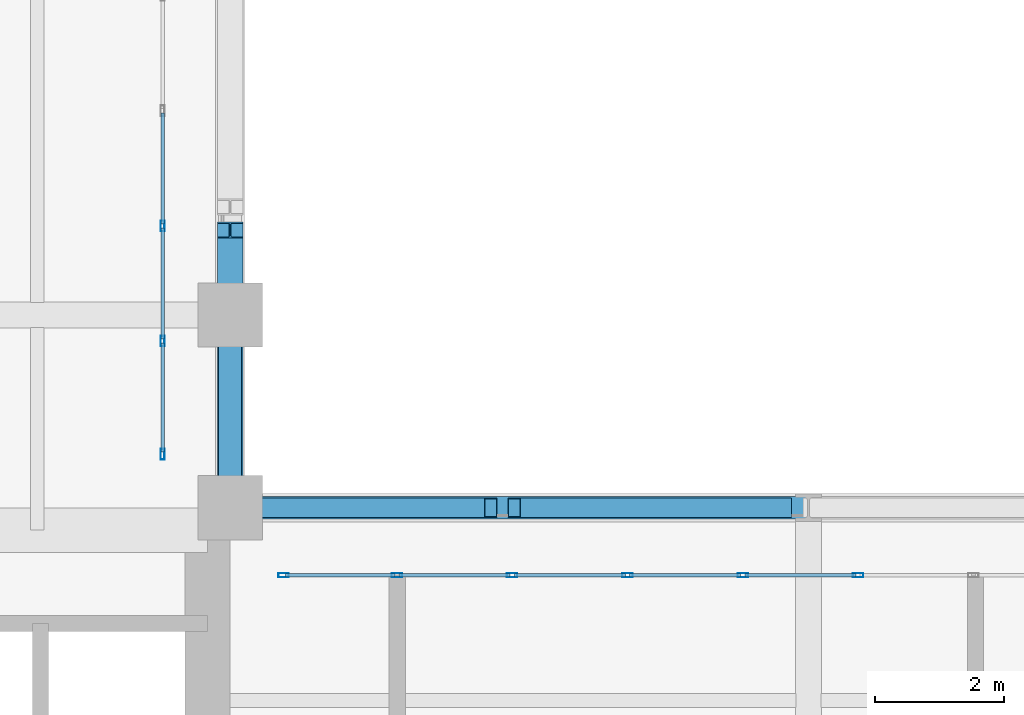
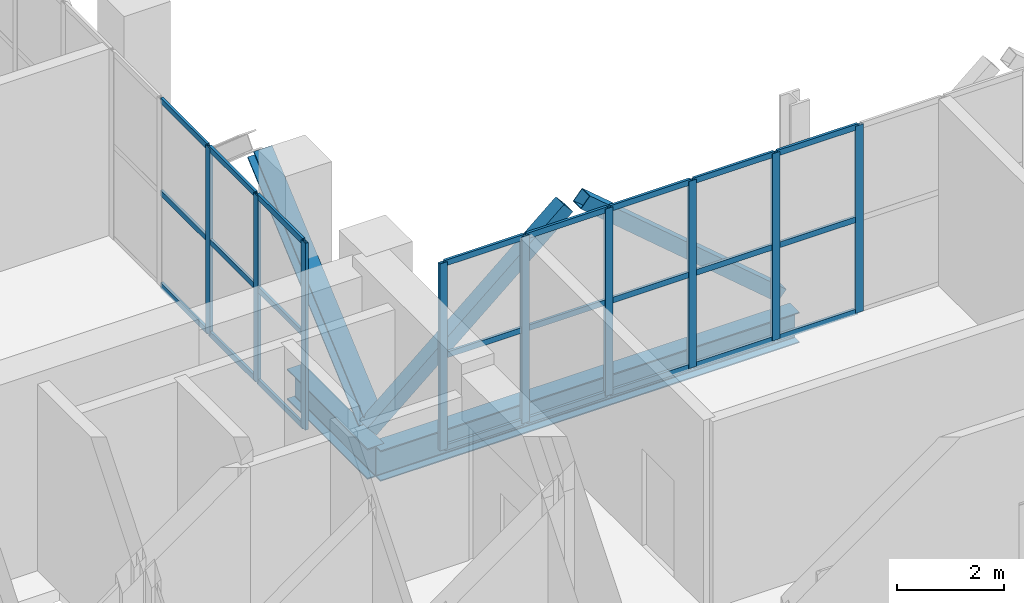
# One storey, part 6 of 27: 36 members, 2 beams, 2 elements without a shape of their own.
"""IFC4 building model written with IfcOpenShell, lengths in metres."""

import ifcopenshell
import ifcopenshell.guid

model = None  # the IFC model being written
_history = None  # IfcOwnerHistory: only IFC2X3 demands one
_inside = {}  # id of a spatial element -> (the spatial element, [elements in it])
_under = {}  # id of a project, library or spatial element -> (it, [spatial elements below it])
_declared = {}  # id of a project -> (the project, [libraries it declares])
_typed = {}  # id of a type object -> (the type object, [elements of that type])
_made_of = {}  # id of a material, layer set ... -> (it, [elements and type objects made of it])


def new_model(schema):
    """Start an empty IFC model of exactly this schema.

    Asked for "IFC4X3", IfcOpenShell would pick the latest addendum, in which some entities
    have other attributes; the version numbers below select the first issue.
    IFC2X3 requires an IfcOwnerHistory on every rooted entity: one is made here for all.
    """
    global model, _history
    if schema == "IFC4X3":
        model = ifcopenshell.file(schema_version=(4, 3, 0, 0))
    else:
        model = ifcopenshell.file(schema=schema)
    _inside.clear()
    _under.clear()
    _declared.clear()
    _typed.clear()
    _made_of.clear()
    _history = None
    if model.schema == "IFC2X3":
        org = make("IfcOrganization", Name="unknown")
        user = make(
            "IfcPersonAndOrganization",
            ThePerson=make("IfcPerson", FamilyName="unknown"),
            TheOrganization=org,
        )
        app = make(
            "IfcApplication",
            ApplicationDeveloper=org,
            Version="unknown",
            ApplicationFullName="unknown",
            ApplicationIdentifier="unknown",
        )
        _history = make(
            "IfcOwnerHistory",
            OwningUser=user,
            OwningApplication=app,
            ChangeAction="ADDED",
            CreationDate=0,
        )
    return model


def make(cls, **values):
    """One entity of the class cls with the attributes given. An attribute that is None is left unset."""
    return model.create_entity(
        cls, **{name: value for name, value in values.items() if value is not None}
    )


def rooted(cls, **values):
    """An entity with a GlobalId (a new one), such as an element, a storey or a relation."""
    return make(cls, GlobalId=ifcopenshell.guid.new(), OwnerHistory=_history, **values)


def si_unit(unit_type, name, prefix=None):
    """IfcSIUnit, for example si_unit("LENGTHUNIT", "METRE", prefix="MILLI")."""
    return make("IfcSIUnit", UnitType=unit_type, Prefix=prefix, Name=name)


def assignment(units):
    """IfcUnitAssignment: the units of a project."""
    return None if units is None else make("IfcUnitAssignment", Units=units)


def point(xyz):
    """IfcCartesianPoint."""
    return None if xyz is None else make("IfcCartesianPoint", Coordinates=xyz)


def direction(xyz):
    """IfcDirection."""
    return None if xyz is None else make("IfcDirection", DirectionRatios=xyz)


def frame(location, z_axis=None, x_axis=None):
    """IfcAxis2Placement3D, a coordinate frame: its origin and axes. An axis left out is left unset."""
    return make(
        "IfcAxis2Placement3D",
        Location=point(location),
        Axis=direction(z_axis),
        RefDirection=direction(x_axis),
    )


def frame_2d(location, x_axis=None):
    """IfcAxis2Placement2D, a coordinate frame in the plane: its origin and x axis."""
    return make(
        "IfcAxis2Placement2D", Location=point(location), RefDirection=direction(x_axis)
    )


def origin():
    """The frame at (0, 0, 0) with its axes left unset."""
    return frame((0.0, 0.0, 0.0))


def origin_2d():
    """The frame at (0, 0) in the plane with its x axis left unset."""
    return frame_2d((0.0, 0.0))


def place(relative_to, where):
    """IfcLocalPlacement: puts the frame where relative to a parent placement (None: the world)."""
    return make(
        "IfcLocalPlacement", PlacementRelTo=relative_to, RelativePlacement=where
    )


def context(
    kind, dimensions, precision=None, world=None, true_north=None, identifier=None
):
    """IfcGeometricRepresentationContext, for example the 3D "Model" context."""
    return make(
        "IfcGeometricRepresentationContext",
        ContextIdentifier=identifier,
        ContextType=kind,
        CoordinateSpaceDimension=dimensions,
        Precision=precision,
        WorldCoordinateSystem=world,
        TrueNorth=true_north,
    )


def subcontext(parent, identifier, kind, view, scale=None):
    """IfcGeometricRepresentationSubContext, for example "Body" below "Model"."""
    return make(
        "IfcGeometricRepresentationSubContext",
        ContextIdentifier=identifier,
        ContextType=kind,
        ParentContext=parent,
        TargetScale=scale,
        TargetView=view,
    )


def project(units=None, contexts=None):
    """IfcProject with its units and contexts."""
    return rooted(
        "IfcProject",
        Name="project",
        RepresentationContexts=contexts,
        UnitsInContext=assignment(units),
    )


def spatial(cls, under=None, at=None, **own):
    """A site, building, storey or space (cls), placed at a placement, below another one or the project."""
    s = rooted(cls, ObjectPlacement=at, **own)
    if under is not None:
        _under.setdefault(under.id(), (under, []))[1].append(s)
    return s


def profile(cls, at=None, kind="AREA", **sizes):
    """A parametric profile (cls). Its sizes go by their IFC names, for example OverallWidth=200.0."""
    return make(cls, ProfileType=kind, Position=at, **sizes)


def hollow_rectangle(**sizes):
    """IfcRectangleHollowProfileDef."""
    return profile("IfcRectangleHollowProfileDef", **sizes)


def i_section(**sizes):
    """IfcIShapeProfileDef."""
    return profile("IfcIShapeProfileDef", **sizes)


def extrude(swept, where, along, depth):
    """IfcExtrudedAreaSolid: the profile swept, set in the frame where, extruded along a direction by depth."""
    return make(
        "IfcExtrudedAreaSolid",
        SweptArea=swept,
        Position=where,
        ExtrudedDirection=direction(along),
        Depth=depth,
    )


def shape(context_of_items, identifier, shape_type, items):
    """IfcShapeRepresentation: the items that make up one representation, for example the "Body"."""
    return make(
        "IfcShapeRepresentation",
        ContextOfItems=context_of_items,
        RepresentationIdentifier=identifier,
        RepresentationType=shape_type,
        Items=items,
    )


def material(Name=None, Category=None):
    """IfcMaterial."""
    return make("IfcMaterial", Name=Name, Category=Category)


def layer(
    of_material, thickness, ventilated=None, Name=None, Category=None, Priority=None
):
    """IfcMaterialLayer: one layer of a wall or slab, of a material (None: an air gap)."""
    return make(
        "IfcMaterialLayer",
        Material=of_material,
        LayerThickness=thickness,
        IsVentilated=ventilated,
        Name=Name,
        Category=Category,
        Priority=Priority,
    )


def layer_set(layers, Name=None):
    """IfcMaterialLayerSet."""
    return make("IfcMaterialLayerSet", MaterialLayers=layers, LayerSetName=Name)


def material_profile(
    of_material, cross_section, Name=None, Category=None, Priority=None
):
    """IfcMaterialProfile: a cross section and its material."""
    return make(
        "IfcMaterialProfile",
        Name=Name,
        Material=of_material,
        Profile=cross_section,
        Priority=Priority,
        Category=Category,
    )


def profile_set(profiles, Name=None, composite=None):
    """IfcMaterialProfileSet."""
    return make(
        "IfcMaterialProfileSet",
        Name=Name,
        MaterialProfiles=profiles,
        CompositeProfile=composite,
    )


def made_of(thing, what):
    """Note that an element or type object is made of a material, layer set ...; save() writes the relation."""
    if what is not None:
        _made_of.setdefault(what.id(), (what, []))[1].append(thing)
    return thing


def type_object(cls, material=None, **own):
    """A type object (cls), such as IfcWallType, which elements share."""
    return made_of(rooted(cls, **own), material)


def element(
    cls,
    number,
    at=None,
    inside=None,
    cuts=None,
    type_object=None,
    material=None,
    context=None,
    identifier="Body",
    shape_type=None,
    held_by="IfcProductDefinitionShape",
    body=None,
    shapes=None,
    **own,
):
    """One element of the class cls, such as IfcWall. Its Tag is "e" and its number.

    at: its placement. inside: the storey or other place that contains it. cuts: it is an
    opening in that element (IfcRelVoidsElement). A single representation is given by context,
    identifier, shape_type and body (its items); several are given by shapes. held_by: the class
    of the entity that holds the representations. save() writes the other relations.
    """
    e = rooted(cls, Tag="e%d" % number, ObjectPlacement=at, **own)
    if body is not None:
        shapes = [shape(context, identifier, shape_type, body)]
    if shapes is not None:
        e.Representation = make(held_by, Representations=shapes)
    if inside is not None:
        _inside.setdefault(inside.id(), (inside, []))[1].append(e)
    if cuts is not None:
        rooted(
            "IfcRelVoidsElement", RelatingBuildingElement=cuts, RelatedOpeningElement=e
        )
    if type_object is not None:
        _typed.setdefault(type_object.id(), (type_object, []))[1].append(e)
    return made_of(e, material)


def aggregate(whole, parts):
    """IfcRelAggregates: a whole, such as a stair, and the parts it consists of."""
    return rooted("IfcRelAggregates", RelatingObject=whole, RelatedObjects=parts)


def save(model, path):
    """Write the relations noted so far, then the file.

    IfcRelAggregates (storeys below a building ...), IfcRelContainedInSpatialStructure (elements
    in a storey), IfcRelDefinesByType, IfcRelAssociatesMaterial and IfcRelDeclares: one each for
    every whole, place, type object, material and project.
    """
    for whole, parts in _under.values():
        aggregate(whole, parts)
    for where, things in _inside.values():
        rooted(
            "IfcRelContainedInSpatialStructure",
            RelatedElements=things,
            RelatingStructure=where,
        )
    for kind, things in _typed.values():
        rooted("IfcRelDefinesByType", RelatedObjects=things, RelatingType=kind)
    for what, things in _made_of.values():
        rooted("IfcRelAssociatesMaterial", RelatedObjects=things, RelatingMaterial=what)
    for by, libraries in _declared.values():
        rooted("IfcRelDeclares", RelatingContext=by, RelatedDefinitions=libraries)
    model.write(path)


model = new_model("IFC4")

# Units and contexts
model_context = context("Model", 3, precision=1e-05, world=origin(), true_north=direction((0.0, 1.0)))
body_context = subcontext(model_context, "Body", "Model", "MODEL_VIEW")
ifc_project = project(units=[si_unit("LENGTHUNIT", "METRE"), si_unit("AREAUNIT", "SQUARE_METRE"), si_unit("VOLUMEUNIT", "CUBIC_METRE"), si_unit("PLANEANGLEUNIT", "RADIAN"), si_unit("MASSUNIT", "GRAM", prefix="KILO")], contexts=[model_context])

# Site, building, storey
site_placement = place(None, origin())
site = spatial("IfcSite", under=ifc_project, at=site_placement, CompositionType="ELEMENT")
building_placement = place(site_placement, origin())
building = spatial("IfcBuilding", under=site, at=building_placement, Name="Mawjdan Bourse Tower", CompositionType="ELEMENT")
storey_placement = place(building_placement, frame((0.0, 0.0, 155.699951171875)))
storey = spatial("IfcBuildingStorey", under=building, at=storey_placement, Name="L37", CompositionType="ELEMENT", Elevation=155.699951171875)

# Members
ifc_material_1 = material(Name="Structural Steel S460", Category="steel")
ifc_material_profile_1 = material_profile(ifc_material_1, hollow_rectangle(XDim=0.300048828125, YDim=0.300048828125, WallThickness=0.012451171875, at=origin_2d()), Name="HSS300X300X12.5")
ifc_profile_set_1 = profile_set([ifc_material_profile_1], Name="Structural Steel S460")
member_type_1 = type_object("IfcMemberType", Name="BRC-HSS300X300X12.5", PredefinedType="BRACE", material=ifc_profile_set_1)
member_1_placement = place(storey_placement, frame((23.83349609375, 21.0, 0.199951171875), z_axis=(0.760807747852, 0.0, 0.648977326883), x_axis=(0.0, 1.0, 0.0)))
element("IfcMember", 1, at=member_1_placement, inside=storey, type_object=member_type_1, Name="L37 East Outrigger Truss 2 Diagonal 1", PredefinedType="BRACE", context=body_context, shape_type="SweptSolid", body=[
    extrude(hollow_rectangle(XDim=0.300048828125, YDim=0.300048828125, WallThickness=0.012451171875, at=origin_2d()), origin(), (0.0, 0.0, 1.0), 5.54736328125),
])
member_2_placement = place(storey_placement, frame((28.4208984375, 21.0, 3.800048828125), z_axis=(0.76082628285, 0.0, -0.648955597345), x_axis=(0.0, 1.0, 0.0)))
element("IfcMember", 2, at=member_2_placement, inside=storey, type_object=member_type_1, Name="L37 East Outrigger Truss 2 Diagonal 2", PredefinedType="BRACE", context=body_context, shape_type="SweptSolid", body=[
    extrude(hollow_rectangle(XDim=0.300048828125, YDim=0.300048828125, WallThickness=0.012451171875, at=origin_2d()), origin(), (0.0, 0.0, 1.0), 5.547607421875),
])
ifc_material_profile_2 = material_profile(ifc_material_1, i_section(OverallWidth=0.39404296875, OverallDepth=0.375, WebThickness=0.017333984375, FlangeThickness=0.027587890625, FilletRadius=0.022216796875, at=origin_2d()), Name="W14X145")
ifc_profile_set_2 = profile_set([ifc_material_profile_2], Name="Structural Steel S460")
member_type_2 = type_object("IfcMemberType", Name="BRC-W14X145", PredefinedType="BRACE", material=ifc_profile_set_2)
member_3_placement = place(storey_placement, frame((24.0, 21.179931640625, 0.199951171875), z_axis=(0.0, 0.754607438139, 0.656176511546), x_axis=(-1.0, 0.0, 0.0)))
element("IfcMember", 3, at=member_3_placement, inside=storey, type_object=member_type_2, Name="L37 North Wing Perimeter Belt Truss Diagonal 1", PredefinedType="BRACE", context=body_context, shape_type="SweptSolid", body=[
    extrude(i_section(OverallWidth=0.39404296875, OverallDepth=0.375, WebThickness=0.017333984375, FlangeThickness=0.027587890625, FilletRadius=0.022216796875, at=origin_2d()), origin(), (0.0, 0.0, 1.0), 5.486572265625),
])

# Curtain wall, members
ifc_material_2 = material(Name="Thermally Broken Aluminium and Solar Glass", Category="aluminium")
ifc_layer = layer(ifc_material_2, 0.219970703125)
ifc_layer_set = layer_set([ifc_layer], Name="Thermally Broken Aluminium and Solar Glass")
curtain_wall_type = type_object("IfcCurtainWallType", Name="CW-RFG", PredefinedType="USERDEFINED", material=ifc_layer_set)
curtain_wall_1_placement = place(storey_placement, origin())
curtain_wall_1 = element("IfcCurtainWall", 4, at=curtain_wall_1_placement, inside=storey, type_object=curtain_wall_type, Name="L37 Refuge Band North Louvre Curtain Wall", ObjectType="REFUGE BAND LOUVRE SCREEN", PredefinedType="USERDEFINED")
ifc_material_3 = material(Name="Thermally Broken Anodised Aluminium", Category="aluminium")
ifc_material_profile_3 = material_profile(ifc_material_3, hollow_rectangle(XDim=0.06494140625, YDim=0.1650390625, WallThickness=0.00390625, at=origin_2d()), Name="ALU-MUL-165X65")
ifc_profile_set_3 = profile_set([ifc_material_profile_3], Name="Thermally Broken Anodised Aluminium")
member_type_3 = type_object("IfcMemberType", Name="MUL-ALU-MUL-165X65", PredefinedType="MULLION", material=ifc_profile_set_3)
member_4_placement = place(storey_placement, frame((33.772216796875, 19.949951171875, 0.0), z_axis=(0.0, 0.0, 1.0), x_axis=(0.0, -1.0, 0.0)))
member_4 = element("IfcMember", 5, at=member_4_placement, type_object=member_type_3, Name="CW-RFG-L37-RFG-N mullion 14", PredefinedType="MULLION", context=body_context, shape_type="SweptSolid", body=[
    extrude(hollow_rectangle(XDim=0.06494140625, YDim=0.1650390625, WallThickness=0.00390625, at=origin_2d()), origin(), (0.0, 0.0, 1.0), 4.25),
])
member_5_placement = place(storey_placement, frame((31.977783203125, 19.949951171875, 0.0), z_axis=(0.0, 0.0, 1.0), x_axis=(0.0, -1.0, 0.0)))
member_5 = element("IfcMember", 6, at=member_5_placement, type_object=member_type_3, Name="CW-RFG-L37-RFG-N mullion 15", PredefinedType="MULLION", context=body_context, shape_type="SweptSolid", body=[
    extrude(hollow_rectangle(XDim=0.06494140625, YDim=0.1650390625, WallThickness=0.00390625, at=origin_2d()), origin(), (0.0, 0.0, 1.0), 4.25),
])
member_6_placement = place(storey_placement, frame((30.183349609375, 19.949951171875, 0.0), z_axis=(0.0, 0.0, 1.0), x_axis=(0.0, -1.0, 0.0)))
member_6 = element("IfcMember", 7, at=member_6_placement, type_object=member_type_3, Name="CW-RFG-L37-RFG-N mullion 16", PredefinedType="MULLION", context=body_context, shape_type="SweptSolid", body=[
    extrude(hollow_rectangle(XDim=0.06494140625, YDim=0.1650390625, WallThickness=0.00390625, at=origin_2d()), origin(), (0.0, 0.0, 1.0), 4.25),
])
member_7_placement = place(storey_placement, frame((28.388916015625, 19.949951171875, 0.0), z_axis=(0.0, 0.0, 1.0), x_axis=(0.0, -1.0, 0.0)))
member_7 = element("IfcMember", 8, at=member_7_placement, type_object=member_type_3, Name="CW-RFG-L37-RFG-N mullion 17", PredefinedType="MULLION", context=body_context, shape_type="SweptSolid", body=[
    extrude(hollow_rectangle(XDim=0.06494140625, YDim=0.1650390625, WallThickness=0.00390625, at=origin_2d()), origin(), (0.0, 0.0, 1.0), 4.25),
])
member_8_placement = place(storey_placement, frame((26.594482421875, 19.949951171875, 0.0), z_axis=(0.0, 0.0, 1.0), x_axis=(0.0, -1.0, 0.0)))
member_8 = element("IfcMember", 9, at=member_8_placement, type_object=member_type_3, Name="CW-RFG-L37-RFG-N mullion 18", PredefinedType="MULLION", context=body_context, shape_type="SweptSolid", body=[
    extrude(hollow_rectangle(XDim=0.06494140625, YDim=0.1650390625, WallThickness=0.00390625, at=origin_2d()), origin(), (0.0, 0.0, 1.0), 4.25),
])
member_9_placement = place(storey_placement, frame((24.83251953125, 19.949951171875, 0.0), z_axis=(0.0, 0.0, 1.0), x_axis=(0.0, -1.0, 0.0)))
member_9 = element("IfcMember", 10, at=member_9_placement, type_object=member_type_3, Name="CW-RFG-L37-RFG-N mullion 19", PredefinedType="MULLION", context=body_context, shape_type="SweptSolid", body=[
    extrude(hollow_rectangle(XDim=0.06494140625, YDim=0.1650390625, WallThickness=0.00390625, at=origin_2d()), origin(), (0.0, 0.0, 1.0), 4.25),
])

curtain_wall_2_placement = place(storey_placement, origin())
curtain_wall_2 = element("IfcCurtainWall", 11, at=curtain_wall_2_placement, inside=storey, type_object=curtain_wall_type, Name="L37 Refuge Band North-Wing Louvre Curtain Wall", ObjectType="REFUGE BAND LOUVRE SCREEN", PredefinedType="USERDEFINED")
member_10_placement = place(storey_placement, frame((22.949951171875, 21.83251953125, 0.0), z_axis=(0.0, 0.0, 1.0), x_axis=(-1.0, 0.0, 0.0)))
member_10 = element("IfcMember", 12, at=member_10_placement, type_object=member_type_3, Name="CW-RFG-L37-RFG-W mullion 1", PredefinedType="MULLION", context=body_context, shape_type="SweptSolid", body=[
    extrude(hollow_rectangle(XDim=0.06494140625, YDim=0.1650390625, WallThickness=0.00390625, at=origin_2d()), origin(), (0.0, 0.0, 1.0), 4.25),
])
member_11_placement = place(storey_placement, frame((22.949951171875, 23.59228515625, 0.0), z_axis=(0.0, 0.0, 1.0), x_axis=(-1.0, 0.0, 0.0)))
member_11 = element("IfcMember", 13, at=member_11_placement, type_object=member_type_3, Name="CW-RFG-L37-RFG-W mullion 2", PredefinedType="MULLION", context=body_context, shape_type="SweptSolid", body=[
    extrude(hollow_rectangle(XDim=0.06494140625, YDim=0.1650390625, WallThickness=0.00390625, at=origin_2d()), origin(), (0.0, 0.0, 1.0), 4.25),
])
member_12_placement = place(storey_placement, frame((22.949951171875, 25.384521484375, 0.0), z_axis=(0.0, 0.0, 1.0), x_axis=(-1.0, 0.0, 0.0)))
member_12 = element("IfcMember", 14, at=member_12_placement, type_object=member_type_3, Name="CW-RFG-L37-RFG-W mullion 3", PredefinedType="MULLION", context=body_context, shape_type="SweptSolid", body=[
    extrude(hollow_rectangle(XDim=0.06494140625, YDim=0.1650390625, WallThickness=0.00390625, at=origin_2d()), origin(), (0.0, 0.0, 1.0), 4.25),
])

# Beams
ifc_material_4 = material(Name="Structural Steel S355", Category="steel")
ifc_material_profile_4 = material_profile(ifc_material_4, i_section(OverallWidth=0.35498046875, OverallDepth=0.696044921875, WebThickness=0.015380859375, FlangeThickness=0.02490234375, FilletRadius=0.019775390625, at=origin_2d()), Name="W27X146")
ifc_profile_set_4 = profile_set([ifc_material_profile_4], Name="Structural Steel S355")
beam_type = type_object("IfcBeamType", Name="SPN-W27X146", PredefinedType="SPANDREL", material=ifc_profile_set_4)
beam_1_placement = place(storey_placement, frame((24.0, 21.0, -0.6279296875), z_axis=(1.0, 0.0, 0.0), x_axis=(0.0, 1.0, 0.0)))
element("IfcBeam", 15, at=beam_1_placement, inside=storey, type_object=beam_type, Name="L37 Perimeter Masonry-Shelf Spandrel 014", PredefinedType="SPANDREL", context=body_context, shape_type="SweptSolid", body=[
    extrude(i_section(OverallWidth=0.35498046875, OverallDepth=0.696044921875, WebThickness=0.015380859375, FlangeThickness=0.02490234375, FilletRadius=0.019775390625, at=origin_2d()), origin(), (0.0, 0.0, 1.0), 9.0),
])
beam_2_placement = place(storey_placement, frame((24.0, 21.0, -0.6279296875), z_axis=(0.0, 1.0, 0.0), x_axis=(-1.0, 0.0, 0.0)))
element("IfcBeam", 16, at=beam_2_placement, inside=storey, type_object=beam_type, Name="L37 North Wing Spandrel 065", PredefinedType="SPANDREL", context=body_context, shape_type="SweptSolid", body=[
    extrude(i_section(OverallWidth=0.35498046875, OverallDepth=0.696044921875, WebThickness=0.015380859375, FlangeThickness=0.02490234375, FilletRadius=0.019775390625, at=origin_2d()), origin(), (0.0, 0.0, 1.0), 3.0),
])

# Member
ifc_material_profile_5 = material_profile(ifc_material_3, hollow_rectangle(XDim=0.054931640625, YDim=0.1298828125, WallThickness=0.00341796875, at=origin_2d()), Name="ALU-TRN-130X55")
ifc_profile_set_5 = profile_set([ifc_material_profile_5], Name="Thermally Broken Anodised Aluminium")
member_type_4 = type_object("IfcMemberType", Name="TRN-ALU-TRN-130X55", PredefinedType="USERDEFINED", material=ifc_profile_set_5)
member_13_placement = place(storey_placement, frame((33.73974609375, 19.949951171875, 0.027587890625), z_axis=(-1.0, 0.0, 0.0), x_axis=(0.0, -1.0, 0.0)))
member_13 = element("IfcMember", 17, at=member_13_placement, type_object=member_type_4, Name="CW-RFG-L37-RFG-N transom 14.1", ObjectType="TRANSOM", PredefinedType="USERDEFINED", context=body_context, shape_type="SweptSolid", body=[
    extrude(hollow_rectangle(XDim=0.054931640625, YDim=0.1298828125, WallThickness=0.00341796875, at=origin_2d()), origin(), (0.0, 0.0, 1.0), 1.7294921875),
])

member_14_placement = place(storey_placement, frame((33.73974609375, 19.949951171875, 2.125), z_axis=(-1.0, 0.0, 0.0), x_axis=(0.0, -1.0, 0.0)))
member_14 = element("IfcMember", 18, at=member_14_placement, type_object=member_type_4, Name="CW-RFG-L37-RFG-N transom 14.2", ObjectType="TRANSOM", PredefinedType="USERDEFINED", context=body_context, shape_type="SweptSolid", body=[
    extrude(hollow_rectangle(XDim=0.054931640625, YDim=0.1298828125, WallThickness=0.00341796875, at=origin_2d()), origin(), (0.0, 0.0, 1.0), 1.7294921875),
])

member_15_placement = place(storey_placement, frame((33.73974609375, 19.949951171875, 4.22265625), z_axis=(-1.0, 0.0, 0.0), x_axis=(0.0, -1.0, 0.0)))
member_15 = element("IfcMember", 19, at=member_15_placement, type_object=member_type_4, Name="CW-RFG-L37-RFG-N transom 14.3", ObjectType="TRANSOM", PredefinedType="USERDEFINED", context=body_context, shape_type="SweptSolid", body=[
    extrude(hollow_rectangle(XDim=0.054931640625, YDim=0.1298828125, WallThickness=0.00341796875, at=origin_2d()), origin(), (0.0, 0.0, 1.0), 1.7294921875),
])

member_16_placement = place(storey_placement, frame((31.9453125, 19.949951171875, 0.027587890625), z_axis=(-1.0, 0.0, 0.0), x_axis=(0.0, -1.0, 0.0)))
member_16 = element("IfcMember", 20, at=member_16_placement, type_object=member_type_4, Name="CW-RFG-L37-RFG-N transom 15.1", ObjectType="TRANSOM", PredefinedType="USERDEFINED", context=body_context, shape_type="SweptSolid", body=[
    extrude(hollow_rectangle(XDim=0.054931640625, YDim=0.1298828125, WallThickness=0.00341796875, at=origin_2d()), origin(), (0.0, 0.0, 1.0), 1.7294921875),
])

member_17_placement = place(storey_placement, frame((31.9453125, 19.949951171875, 2.125), z_axis=(-1.0, 0.0, 0.0), x_axis=(0.0, -1.0, 0.0)))
member_17 = element("IfcMember", 21, at=member_17_placement, type_object=member_type_4, Name="CW-RFG-L37-RFG-N transom 15.2", ObjectType="TRANSOM", PredefinedType="USERDEFINED", context=body_context, shape_type="SweptSolid", body=[
    extrude(hollow_rectangle(XDim=0.054931640625, YDim=0.1298828125, WallThickness=0.00341796875, at=origin_2d()), origin(), (0.0, 0.0, 1.0), 1.7294921875),
])

member_18_placement = place(storey_placement, frame((31.9453125, 19.949951171875, 4.22265625), z_axis=(-1.0, 0.0, 0.0), x_axis=(0.0, -1.0, 0.0)))
member_18 = element("IfcMember", 22, at=member_18_placement, type_object=member_type_4, Name="CW-RFG-L37-RFG-N transom 15.3", ObjectType="TRANSOM", PredefinedType="USERDEFINED", context=body_context, shape_type="SweptSolid", body=[
    extrude(hollow_rectangle(XDim=0.054931640625, YDim=0.1298828125, WallThickness=0.00341796875, at=origin_2d()), origin(), (0.0, 0.0, 1.0), 1.7294921875),
])

member_19_placement = place(storey_placement, frame((30.15087890625, 19.949951171875, 0.027587890625), z_axis=(-1.0, 0.0, 0.0), x_axis=(0.0, -1.0, 0.0)))
member_19 = element("IfcMember", 23, at=member_19_placement, type_object=member_type_4, Name="CW-RFG-L37-RFG-N transom 16.1", ObjectType="TRANSOM", PredefinedType="USERDEFINED", context=body_context, shape_type="SweptSolid", body=[
    extrude(hollow_rectangle(XDim=0.054931640625, YDim=0.1298828125, WallThickness=0.00341796875, at=origin_2d()), origin(), (0.0, 0.0, 1.0), 1.7294921875),
])

member_20_placement = place(storey_placement, frame((30.15087890625, 19.949951171875, 2.125), z_axis=(-1.0, 0.0, 0.0), x_axis=(0.0, -1.0, 0.0)))
member_20 = element("IfcMember", 24, at=member_20_placement, type_object=member_type_4, Name="CW-RFG-L37-RFG-N transom 16.2", ObjectType="TRANSOM", PredefinedType="USERDEFINED", context=body_context, shape_type="SweptSolid", body=[
    extrude(hollow_rectangle(XDim=0.054931640625, YDim=0.1298828125, WallThickness=0.00341796875, at=origin_2d()), origin(), (0.0, 0.0, 1.0), 1.7294921875),
])

member_21_placement = place(storey_placement, frame((30.15087890625, 19.949951171875, 4.22265625), z_axis=(-1.0, 0.0, 0.0), x_axis=(0.0, -1.0, 0.0)))
member_21 = element("IfcMember", 25, at=member_21_placement, type_object=member_type_4, Name="CW-RFG-L37-RFG-N transom 16.3", ObjectType="TRANSOM", PredefinedType="USERDEFINED", context=body_context, shape_type="SweptSolid", body=[
    extrude(hollow_rectangle(XDim=0.054931640625, YDim=0.1298828125, WallThickness=0.00341796875, at=origin_2d()), origin(), (0.0, 0.0, 1.0), 1.7294921875),
])

member_22_placement = place(storey_placement, frame((28.3564453125, 19.949951171875, 0.027587890625), z_axis=(-1.0, 0.0, 0.0), x_axis=(0.0, -1.0, 0.0)))
member_22 = element("IfcMember", 26, at=member_22_placement, type_object=member_type_4, Name="CW-RFG-L37-RFG-N transom 17.1", ObjectType="TRANSOM", PredefinedType="USERDEFINED", context=body_context, shape_type="SweptSolid", body=[
    extrude(hollow_rectangle(XDim=0.054931640625, YDim=0.1298828125, WallThickness=0.00341796875, at=origin_2d()), origin(), (0.0, 0.0, 1.0), 1.7294921875),
])

member_23_placement = place(storey_placement, frame((28.3564453125, 19.949951171875, 2.125), z_axis=(-1.0, 0.0, 0.0), x_axis=(0.0, -1.0, 0.0)))
member_23 = element("IfcMember", 27, at=member_23_placement, type_object=member_type_4, Name="CW-RFG-L37-RFG-N transom 17.2", ObjectType="TRANSOM", PredefinedType="USERDEFINED", context=body_context, shape_type="SweptSolid", body=[
    extrude(hollow_rectangle(XDim=0.054931640625, YDim=0.1298828125, WallThickness=0.00341796875, at=origin_2d()), origin(), (0.0, 0.0, 1.0), 1.7294921875),
])

member_24_placement = place(storey_placement, frame((28.3564453125, 19.949951171875, 4.22265625), z_axis=(-1.0, 0.0, 0.0), x_axis=(0.0, -1.0, 0.0)))
member_24 = element("IfcMember", 28, at=member_24_placement, type_object=member_type_4, Name="CW-RFG-L37-RFG-N transom 17.3", ObjectType="TRANSOM", PredefinedType="USERDEFINED", context=body_context, shape_type="SweptSolid", body=[
    extrude(hollow_rectangle(XDim=0.054931640625, YDim=0.1298828125, WallThickness=0.00341796875, at=origin_2d()), origin(), (0.0, 0.0, 1.0), 1.7294921875),
])

member_25_placement = place(storey_placement, frame((26.56201171875, 19.949951171875, 0.027587890625), z_axis=(-1.0, 0.0, 0.0), x_axis=(0.0, -1.0, 0.0)))
member_25 = element("IfcMember", 29, at=member_25_placement, type_object=member_type_4, Name="CW-RFG-L37-RFG-N transom 18.1", ObjectType="TRANSOM", PredefinedType="USERDEFINED", context=body_context, shape_type="SweptSolid", body=[
    extrude(hollow_rectangle(XDim=0.054931640625, YDim=0.1298828125, WallThickness=0.00341796875, at=origin_2d()), origin(), (0.0, 0.0, 1.0), 1.697021484375),
])

member_26_placement = place(storey_placement, frame((26.56201171875, 19.949951171875, 2.125), z_axis=(-1.0, 0.0, 0.0), x_axis=(0.0, -1.0, 0.0)))
member_26 = element("IfcMember", 30, at=member_26_placement, type_object=member_type_4, Name="CW-RFG-L37-RFG-N transom 18.2", ObjectType="TRANSOM", PredefinedType="USERDEFINED", context=body_context, shape_type="SweptSolid", body=[
    extrude(hollow_rectangle(XDim=0.054931640625, YDim=0.1298828125, WallThickness=0.00341796875, at=origin_2d()), origin(), (0.0, 0.0, 1.0), 1.697021484375),
])

member_27_placement = place(storey_placement, frame((26.56201171875, 19.949951171875, 4.22265625), z_axis=(-1.0, 0.0, 0.0), x_axis=(0.0, -1.0, 0.0)))
member_27 = element("IfcMember", 31, at=member_27_placement, type_object=member_type_4, Name="CW-RFG-L37-RFG-N transom 18.3", ObjectType="TRANSOM", PredefinedType="USERDEFINED", context=body_context, shape_type="SweptSolid", body=[
    extrude(hollow_rectangle(XDim=0.054931640625, YDim=0.1298828125, WallThickness=0.00341796875, at=origin_2d()), origin(), (0.0, 0.0, 1.0), 1.697021484375),
])

aggregate(curtain_wall_1, [member_4, member_5, member_6, member_7, member_8, member_9, member_13, member_14, member_15, member_16, member_17, member_18, member_19, member_20, member_21, member_22, member_23, member_24, member_25, member_26, member_27])

member_28_placement = place(storey_placement, frame((22.949951171875, 21.864990234375, 0.027587890625), z_axis=(0.0, 1.0, 0.0), x_axis=(-1.0, 0.0, 0.0)))
member_28 = element("IfcMember", 32, at=member_28_placement, type_object=member_type_4, Name="CW-RFG-L37-RFG-W transom 1.1", ObjectType="TRANSOM", PredefinedType="USERDEFINED", context=body_context, shape_type="SweptSolid", body=[
    extrude(hollow_rectangle(XDim=0.054931640625, YDim=0.1298828125, WallThickness=0.00341796875, at=origin_2d()), origin(), (0.0, 0.0, 1.0), 1.69482421875),
])

member_29_placement = place(storey_placement, frame((22.949951171875, 21.864990234375, 2.125), z_axis=(0.0, 1.0, 0.0), x_axis=(-1.0, 0.0, 0.0)))
member_29 = element("IfcMember", 33, at=member_29_placement, type_object=member_type_4, Name="CW-RFG-L37-RFG-W transom 1.2", ObjectType="TRANSOM", PredefinedType="USERDEFINED", context=body_context, shape_type="SweptSolid", body=[
    extrude(hollow_rectangle(XDim=0.054931640625, YDim=0.1298828125, WallThickness=0.00341796875, at=origin_2d()), origin(), (0.0, 0.0, 1.0), 1.69482421875),
])

member_30_placement = place(storey_placement, frame((22.949951171875, 21.864990234375, 4.22265625), z_axis=(0.0, 1.0, 0.0), x_axis=(-1.0, 0.0, 0.0)))
member_30 = element("IfcMember", 34, at=member_30_placement, type_object=member_type_4, Name="CW-RFG-L37-RFG-W transom 1.3", ObjectType="TRANSOM", PredefinedType="USERDEFINED", context=body_context, shape_type="SweptSolid", body=[
    extrude(hollow_rectangle(XDim=0.054931640625, YDim=0.1298828125, WallThickness=0.00341796875, at=origin_2d()), origin(), (0.0, 0.0, 1.0), 1.69482421875),
])

member_31_placement = place(storey_placement, frame((22.949951171875, 23.624755859375, 0.027587890625), z_axis=(0.0, 1.0, 0.0), x_axis=(-1.0, 0.0, 0.0)))
member_31 = element("IfcMember", 35, at=member_31_placement, type_object=member_type_4, Name="CW-RFG-L37-RFG-W transom 2.1", ObjectType="TRANSOM", PredefinedType="USERDEFINED", context=body_context, shape_type="SweptSolid", body=[
    extrude(hollow_rectangle(XDim=0.054931640625, YDim=0.1298828125, WallThickness=0.00341796875, at=origin_2d()), origin(), (0.0, 0.0, 1.0), 1.727294921875),
])

member_32_placement = place(storey_placement, frame((22.949951171875, 23.624755859375, 2.125), z_axis=(0.0, 1.0, 0.0), x_axis=(-1.0, 0.0, 0.0)))
member_32 = element("IfcMember", 36, at=member_32_placement, type_object=member_type_4, Name="CW-RFG-L37-RFG-W transom 2.2", ObjectType="TRANSOM", PredefinedType="USERDEFINED", context=body_context, shape_type="SweptSolid", body=[
    extrude(hollow_rectangle(XDim=0.054931640625, YDim=0.1298828125, WallThickness=0.00341796875, at=origin_2d()), origin(), (0.0, 0.0, 1.0), 1.727294921875),
])

member_33_placement = place(storey_placement, frame((22.949951171875, 23.624755859375, 4.22265625), z_axis=(0.0, 1.0, 0.0), x_axis=(-1.0, 0.0, 0.0)))
member_33 = element("IfcMember", 37, at=member_33_placement, type_object=member_type_4, Name="CW-RFG-L37-RFG-W transom 2.3", ObjectType="TRANSOM", PredefinedType="USERDEFINED", context=body_context, shape_type="SweptSolid", body=[
    extrude(hollow_rectangle(XDim=0.054931640625, YDim=0.1298828125, WallThickness=0.00341796875, at=origin_2d()), origin(), (0.0, 0.0, 1.0), 1.727294921875),
])

member_34_placement = place(storey_placement, frame((22.949951171875, 25.417236328125, 0.027587890625), z_axis=(0.0, 1.0, 0.0), x_axis=(-1.0, 0.0, 0.0)))
member_34 = element("IfcMember", 38, at=member_34_placement, type_object=member_type_4, Name="CW-RFG-L37-RFG-W transom 3.1", ObjectType="TRANSOM", PredefinedType="USERDEFINED", context=body_context, shape_type="SweptSolid", body=[
    extrude(hollow_rectangle(XDim=0.054931640625, YDim=0.1298828125, WallThickness=0.00341796875, at=origin_2d()), origin(), (0.0, 0.0, 1.0), 1.727294921875),
])

member_35_placement = place(storey_placement, frame((22.949951171875, 25.417236328125, 2.125), z_axis=(0.0, 1.0, 0.0), x_axis=(-1.0, 0.0, 0.0)))
member_35 = element("IfcMember", 39, at=member_35_placement, type_object=member_type_4, Name="CW-RFG-L37-RFG-W transom 3.2", ObjectType="TRANSOM", PredefinedType="USERDEFINED", context=body_context, shape_type="SweptSolid", body=[
    extrude(hollow_rectangle(XDim=0.054931640625, YDim=0.1298828125, WallThickness=0.00341796875, at=origin_2d()), origin(), (0.0, 0.0, 1.0), 1.727294921875),
])

member_36_placement = place(storey_placement, frame((22.949951171875, 25.417236328125, 4.22265625), z_axis=(0.0, 1.0, 0.0), x_axis=(-1.0, 0.0, 0.0)))
member_36 = element("IfcMember", 40, at=member_36_placement, type_object=member_type_4, Name="CW-RFG-L37-RFG-W transom 3.3", ObjectType="TRANSOM", PredefinedType="USERDEFINED", context=body_context, shape_type="SweptSolid", body=[
    extrude(hollow_rectangle(XDim=0.054931640625, YDim=0.1298828125, WallThickness=0.00341796875, at=origin_2d()), origin(), (0.0, 0.0, 1.0), 1.727294921875),
])

aggregate(curtain_wall_2, [member_10, member_11, member_12, member_28, member_29, member_30, member_31, member_32, member_33, member_34, member_35, member_36])

save(model, "model.ifc")
